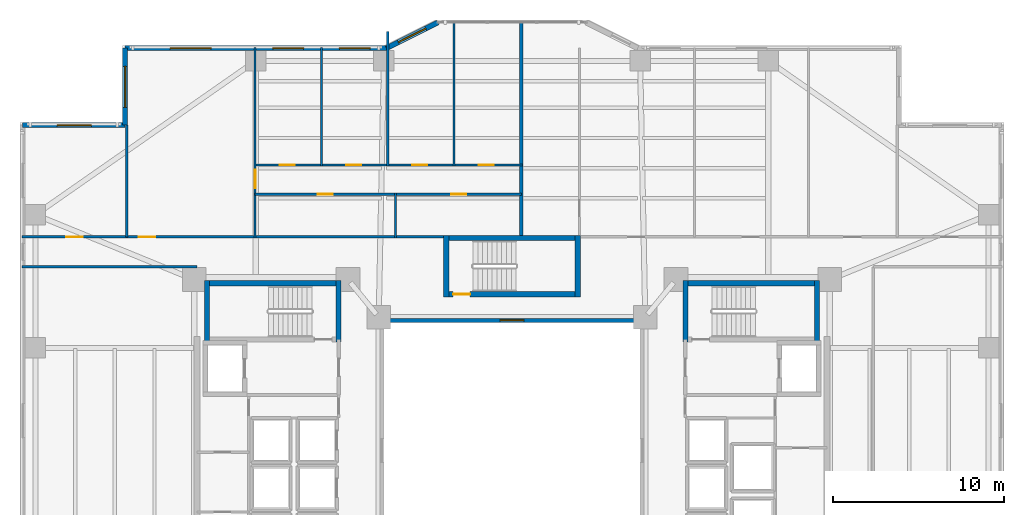
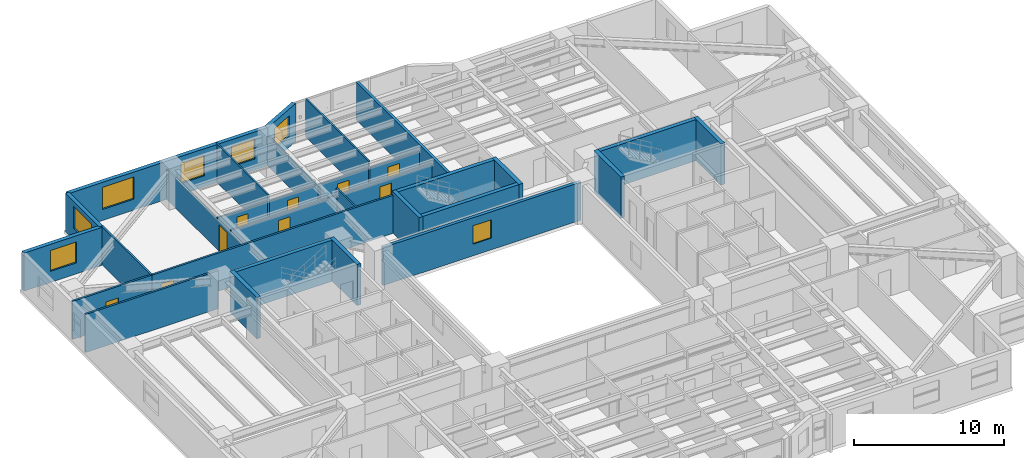
# One storey, part 13 of 19: 28 walls, 10 doors, 7 windows, 17 openings.
"""IFC4 building model written with IfcOpenShell, lengths in metres."""

import ifcopenshell
import ifcopenshell.guid

model = None  # the IFC model being written
_history = None  # IfcOwnerHistory: only IFC2X3 demands one
_inside = {}  # id of a spatial element -> (the spatial element, [elements in it])
_under = {}  # id of a project, library or spatial element -> (it, [spatial elements below it])
_declared = {}  # id of a project -> (the project, [libraries it declares])
_typed = {}  # id of a type object -> (the type object, [elements of that type])
_made_of = {}  # id of a material, layer set ... -> (it, [elements and type objects made of it])


def new_model(schema):
    """Start an empty IFC model of exactly this schema.

    Asked for "IFC4X3", IfcOpenShell would pick the latest addendum, in which some entities
    have other attributes; the version numbers below select the first issue.
    IFC2X3 requires an IfcOwnerHistory on every rooted entity: one is made here for all.
    """
    global model, _history
    if schema == "IFC4X3":
        model = ifcopenshell.file(schema_version=(4, 3, 0, 0))
    else:
        model = ifcopenshell.file(schema=schema)
    _inside.clear()
    _under.clear()
    _declared.clear()
    _typed.clear()
    _made_of.clear()
    _history = None
    if model.schema == "IFC2X3":
        org = make("IfcOrganization", Name="unknown")
        user = make(
            "IfcPersonAndOrganization",
            ThePerson=make("IfcPerson", FamilyName="unknown"),
            TheOrganization=org,
        )
        app = make(
            "IfcApplication",
            ApplicationDeveloper=org,
            Version="unknown",
            ApplicationFullName="unknown",
            ApplicationIdentifier="unknown",
        )
        _history = make(
            "IfcOwnerHistory",
            OwningUser=user,
            OwningApplication=app,
            ChangeAction="ADDED",
            CreationDate=0,
        )
    return model


def make(cls, **values):
    """One entity of the class cls with the attributes given. An attribute that is None is left unset."""
    return model.create_entity(
        cls, **{name: value for name, value in values.items() if value is not None}
    )


def rooted(cls, **values):
    """An entity with a GlobalId (a new one), such as an element, a storey or a relation."""
    return make(cls, GlobalId=ifcopenshell.guid.new(), OwnerHistory=_history, **values)


def si_unit(unit_type, name, prefix=None):
    """IfcSIUnit, for example si_unit("LENGTHUNIT", "METRE", prefix="MILLI")."""
    return make("IfcSIUnit", UnitType=unit_type, Prefix=prefix, Name=name)


def assignment(units):
    """IfcUnitAssignment: the units of a project."""
    return None if units is None else make("IfcUnitAssignment", Units=units)


def point(xyz):
    """IfcCartesianPoint."""
    return None if xyz is None else make("IfcCartesianPoint", Coordinates=xyz)


def direction(xyz):
    """IfcDirection."""
    return None if xyz is None else make("IfcDirection", DirectionRatios=xyz)


def frame(location, z_axis=None, x_axis=None):
    """IfcAxis2Placement3D, a coordinate frame: its origin and axes. An axis left out is left unset."""
    return make(
        "IfcAxis2Placement3D",
        Location=point(location),
        Axis=direction(z_axis),
        RefDirection=direction(x_axis),
    )


def frame_2d(location, x_axis=None):
    """IfcAxis2Placement2D, a coordinate frame in the plane: its origin and x axis."""
    return make(
        "IfcAxis2Placement2D", Location=point(location), RefDirection=direction(x_axis)
    )


def origin():
    """The frame at (0, 0, 0) with its axes left unset."""
    return frame((0.0, 0.0, 0.0))


def place(relative_to, where):
    """IfcLocalPlacement: puts the frame where relative to a parent placement (None: the world)."""
    return make(
        "IfcLocalPlacement", PlacementRelTo=relative_to, RelativePlacement=where
    )


def context(
    kind, dimensions, precision=None, world=None, true_north=None, identifier=None
):
    """IfcGeometricRepresentationContext, for example the 3D "Model" context."""
    return make(
        "IfcGeometricRepresentationContext",
        ContextIdentifier=identifier,
        ContextType=kind,
        CoordinateSpaceDimension=dimensions,
        Precision=precision,
        WorldCoordinateSystem=world,
        TrueNorth=true_north,
    )


def subcontext(parent, identifier, kind, view, scale=None):
    """IfcGeometricRepresentationSubContext, for example "Body" below "Model"."""
    return make(
        "IfcGeometricRepresentationSubContext",
        ContextIdentifier=identifier,
        ContextType=kind,
        ParentContext=parent,
        TargetScale=scale,
        TargetView=view,
    )


def project(units=None, contexts=None):
    """IfcProject with its units and contexts."""
    return rooted(
        "IfcProject",
        Name="project",
        RepresentationContexts=contexts,
        UnitsInContext=assignment(units),
    )


def spatial(cls, under=None, at=None, **own):
    """A site, building, storey or space (cls), placed at a placement, below another one or the project."""
    s = rooted(cls, ObjectPlacement=at, **own)
    if under is not None:
        _under.setdefault(under.id(), (under, []))[1].append(s)
    return s


def profile(cls, at=None, kind="AREA", **sizes):
    """A parametric profile (cls). Its sizes go by their IFC names, for example OverallWidth=200.0."""
    return make(cls, ProfileType=kind, Position=at, **sizes)


def rectangle(**sizes):
    """IfcRectangleProfileDef."""
    return profile("IfcRectangleProfileDef", **sizes)


def extrude(swept, where, along, depth):
    """IfcExtrudedAreaSolid: the profile swept, set in the frame where, extruded along a direction by depth."""
    return make(
        "IfcExtrudedAreaSolid",
        SweptArea=swept,
        Position=where,
        ExtrudedDirection=direction(along),
        Depth=depth,
    )


def shape(context_of_items, identifier, shape_type, items):
    """IfcShapeRepresentation: the items that make up one representation, for example the "Body"."""
    return make(
        "IfcShapeRepresentation",
        ContextOfItems=context_of_items,
        RepresentationIdentifier=identifier,
        RepresentationType=shape_type,
        Items=items,
    )


def material(Name=None, Category=None):
    """IfcMaterial."""
    return make("IfcMaterial", Name=Name, Category=Category)


def layer(
    of_material, thickness, ventilated=None, Name=None, Category=None, Priority=None
):
    """IfcMaterialLayer: one layer of a wall or slab, of a material (None: an air gap)."""
    return make(
        "IfcMaterialLayer",
        Material=of_material,
        LayerThickness=thickness,
        IsVentilated=ventilated,
        Name=Name,
        Category=Category,
        Priority=Priority,
    )


def layer_set(layers, Name=None):
    """IfcMaterialLayerSet."""
    return make("IfcMaterialLayerSet", MaterialLayers=layers, LayerSetName=Name)


def made_of(thing, what):
    """Note that an element or type object is made of a material, layer set ...; save() writes the relation."""
    if what is not None:
        _made_of.setdefault(what.id(), (what, []))[1].append(thing)
    return thing


def type_object(cls, material=None, **own):
    """A type object (cls), such as IfcWallType, which elements share."""
    return made_of(rooted(cls, **own), material)


def element(
    cls,
    number,
    at=None,
    inside=None,
    cuts=None,
    type_object=None,
    material=None,
    context=None,
    identifier="Body",
    shape_type=None,
    held_by="IfcProductDefinitionShape",
    body=None,
    shapes=None,
    **own,
):
    """One element of the class cls, such as IfcWall. Its Tag is "e" and its number.

    at: its placement. inside: the storey or other place that contains it. cuts: it is an
    opening in that element (IfcRelVoidsElement). A single representation is given by context,
    identifier, shape_type and body (its items); several are given by shapes. held_by: the class
    of the entity that holds the representations. save() writes the other relations.
    """
    e = rooted(cls, Tag="e%d" % number, ObjectPlacement=at, **own)
    if body is not None:
        shapes = [shape(context, identifier, shape_type, body)]
    if shapes is not None:
        e.Representation = make(held_by, Representations=shapes)
    if inside is not None:
        _inside.setdefault(inside.id(), (inside, []))[1].append(e)
    if cuts is not None:
        rooted(
            "IfcRelVoidsElement", RelatingBuildingElement=cuts, RelatedOpeningElement=e
        )
    if type_object is not None:
        _typed.setdefault(type_object.id(), (type_object, []))[1].append(e)
    return made_of(e, material)


def fill(opening, filler):
    """IfcRelFillsElement: the door or window that sits in an opening."""
    return rooted(
        "IfcRelFillsElement",
        RelatingOpeningElement=opening,
        RelatedBuildingElement=filler,
    )


def aggregate(whole, parts):
    """IfcRelAggregates: a whole, such as a stair, and the parts it consists of."""
    return rooted("IfcRelAggregates", RelatingObject=whole, RelatedObjects=parts)


def save(model, path):
    """Write the relations noted so far, then the file.

    IfcRelAggregates (storeys below a building ...), IfcRelContainedInSpatialStructure (elements
    in a storey), IfcRelDefinesByType, IfcRelAssociatesMaterial and IfcRelDeclares: one each for
    every whole, place, type object, material and project.
    """
    for whole, parts in _under.values():
        aggregate(whole, parts)
    for where, things in _inside.values():
        rooted(
            "IfcRelContainedInSpatialStructure",
            RelatedElements=things,
            RelatingStructure=where,
        )
    for kind, things in _typed.values():
        rooted("IfcRelDefinesByType", RelatedObjects=things, RelatingType=kind)
    for what, things in _made_of.values():
        rooted("IfcRelAssociatesMaterial", RelatedObjects=things, RelatingMaterial=what)
    for by, libraries in _declared.values():
        rooted("IfcRelDeclares", RelatingContext=by, RelatedDefinitions=libraries)
    model.write(path)


model = new_model("IFC4")

# Units and contexts
model_context = context("Model", 3, precision=1e-05, world=origin(), true_north=direction((0.0, 1.0)))
body_context = subcontext(model_context, "Body", "Model", "MODEL_VIEW")
ifc_project = project(units=[si_unit("LENGTHUNIT", "METRE"), si_unit("AREAUNIT", "SQUARE_METRE"), si_unit("VOLUMEUNIT", "CUBIC_METRE"), si_unit("PLANEANGLEUNIT", "RADIAN"), si_unit("MASSUNIT", "GRAM", prefix="KILO")], contexts=[model_context])

# Site, building, storey
site_placement = place(None, origin())
site = spatial("IfcSite", under=ifc_project, at=site_placement, CompositionType="ELEMENT")
building_placement = place(site_placement, origin())
building = spatial("IfcBuilding", under=site, at=building_placement, Name="Tarnavaz Court Tower", CompositionType="ELEMENT")
storey_placement = place(building_placement, frame((0.0, 0.0, 54.14990234375)))
storey = spatial("IfcBuildingStorey", under=building, at=storey_placement, Name="L14", CompositionType="ELEMENT", Elevation=54.14990234375)

# Walls
ifc_material_1 = material(Name="Concrete C60/75", Category="concrete")
ifc_layer_1 = layer(ifc_material_1, 0.300048828125)
ifc_layer_set_1 = layer_set([ifc_layer_1], Name="Concrete C60/75")
wall_type_1 = type_object("IfcWallType", Name="WL-CORE-300-C60", PredefinedType="SHEAR", material=ifc_layer_set_1)
wall_1_placement = place(storey_placement, frame((-18.0, 9.7900390625, 0.0), z_axis=(0.0, 0.0, 1.0), x_axis=(1.0, 0.0, 0.0)))
element("IfcWall", 1, at=wall_1_placement, inside=storey, type_object=wall_type_1, Name="L14 West Stair Core Wall 001", PredefinedType="SHEAR", context=body_context, shape_type="SweptSolid", body=[
    extrude(rectangle(XDim=8.0, YDim=0.300048828125, at=frame_2d((4.0, 0.0))), origin(), (0.0, 0.0, 1.0), 3.35009765625),
])
for number, where, z_axis, x_axis, name in (
    (2, (-17.85009765625, 6.35009765625, 0.0), (0.0, 0.0, 1.0), (0.0, 1.0, 0.0), "L14 West Stair Core Wall 003"),
    (3, (-10.14990234375, 6.35009765625, 0.0), (0.0, 0.0, 1.0), (0.0, 1.0, 0.0), "L14 West Stair Core Wall 004"),
):
    element("IfcWall", number, at=place(storey_placement, frame(where, z_axis=z_axis, x_axis=x_axis)), inside=storey, type_object=wall_type_1, Name=name, PredefinedType="SHEAR", context=body_context, shape_type="SweptSolid", body=[
        extrude(rectangle(XDim=3.58984375, YDim=0.300048828125, at=frame_2d((1.794921875, 0.0))), origin(), (0.0, 0.0, 1.0), 3.35009765625),
    ])
wall_2_placement = place(storey_placement, frame((10.0, 9.7900390625, 0.0), z_axis=(0.0, 0.0, 1.0), x_axis=(1.0, 0.0, 0.0)))
element("IfcWall", 4, at=wall_2_placement, inside=storey, type_object=wall_type_1, Name="L14 East Stair Core Wall 005", PredefinedType="SHEAR", context=body_context, shape_type="SweptSolid", body=[
    extrude(rectangle(XDim=8.0, YDim=0.300048828125, at=frame_2d((4.0, 0.0))), origin(), (0.0, 0.0, 1.0), 3.35009765625),
])
for number, where, z_axis, x_axis, name in (
    (5, (10.14990234375, 6.35009765625, 0.0), (0.0, 0.0, 1.0), (0.0, 1.0, 0.0), "L14 East Stair Core Wall 007"),
    (6, (17.85009765625, 6.35009765625, 0.0), (0.0, 0.0, 1.0), (0.0, 1.0, 0.0), "L14 East Stair Core Wall 008"),
):
    element("IfcWall", number, at=place(storey_placement, frame(where, z_axis=z_axis, x_axis=x_axis)), inside=storey, type_object=wall_type_1, Name=name, PredefinedType="SHEAR", context=body_context, shape_type="SweptSolid", body=[
        extrude(rectangle(XDim=3.58984375, YDim=0.300048828125, at=frame_2d((1.794921875, 0.0))), origin(), (0.0, 0.0, 1.0), 3.35009765625),
    ])
wall_3_placement = place(storey_placement, frame((-4.0, 12.43994140625, 0.0), z_axis=(0.0, 0.0, 1.0), x_axis=(1.0, 0.0, 0.0)))
element("IfcWall", 7, at=wall_3_placement, inside=storey, type_object=wall_type_1, Name="L14 North Stair Core Wall 009", PredefinedType="SHEAR", context=body_context, shape_type="SweptSolid", body=[
    extrude(rectangle(XDim=8.0, YDim=0.300048828125, at=frame_2d((4.0, 0.0))), origin(), (0.0, 0.0, 1.0), 3.35009765625),
])

# Wall, opening, door
wall_4_placement = place(storey_placement, frame((-4.0, 9.14990234375, 0.0), z_axis=(0.0, 0.0, 1.0), x_axis=(1.0, 0.0, 0.0)))
wall_4 = element("IfcWall", 8, at=wall_4_placement, inside=storey, type_object=wall_type_1, Name="L14 North Stair Core Wall 010", PredefinedType="SHEAR", context=body_context, shape_type="SweptSolid", body=[
    extrude(rectangle(XDim=8.0, YDim=0.300048828125, at=frame_2d((4.0, 0.0))), origin(), (0.0, 0.0, 1.0), 3.35009765625),
])
opening_1_placement = place(wall_4_placement, frame((0.550048828125, 0.0, 0.0)))
opening_1 = element("IfcOpeningElement", 9, at=opening_1_placement, cuts=wall_4, Name="Opening D01", PredefinedType="OPENING", context=body_context, shape_type="SweptSolid", body=[
    extrude(rectangle(XDim=1.0, YDim=2.14990234375, at=frame_2d((0.5, 1.074951171875))), frame((0.0, 0.159912109375, 0.0), z_axis=(0.0, -1.0, 0.0), x_axis=(1.0, 0.0, 0.0)), (0.0, 0.0, 1.0), 0.320068359375),
])
ifc_material_2 = material(Name="Fire-Rated Hardwood Timber Core", Category="wood")
door_type_1 = type_object("IfcDoorType", Name="DR-FD90-1000", OperationType="NOTDEFINED", PredefinedType="DOOR", material=ifc_material_2)
door_1_placement = place(opening_1_placement, origin())
door_1 = element("IfcDoor", 10, at=door_1_placement, inside=storey, type_object=door_type_1, Name="L14 Stair ST-N1 Exit Door", OperationType="SINGLE_SWING_LEFT", OverallHeight=2.14990234375, OverallWidth=1.0, PredefinedType="DOOR", context=body_context, shape_type="SweptSolid", body=[
    extrude(rectangle(XDim=1.0, YDim=2.14990234375, at=frame_2d((0.5, 1.074951171875))), frame((0.0, 0.02490234375, 0.0), z_axis=(0.0, -1.0, 0.0), x_axis=(1.0, 0.0, 0.0)), (0.0, 0.0, 1.0), 0.050048828125),
])
fill(opening_1, door_1)

# Walls
for number, where, z_axis, x_axis, name in (
    (11, (-3.85009765625, 9.0, 0.0), (0.0, 0.0, 1.0), (0.0, 1.0, 0.0), "L14 North Stair Core Wall 011"),
    (12, (3.85009765625, 9.0, 0.0), (0.0, 0.0, 1.0), (0.0, 1.0, 0.0), "L14 North Stair Core Wall 012"),
):
    element("IfcWall", number, at=place(storey_placement, frame(where, z_axis=z_axis, x_axis=x_axis)), inside=storey, type_object=wall_type_1, Name=name, PredefinedType="SHEAR", context=body_context, shape_type="SweptSolid", body=[
        extrude(rectangle(XDim=3.590087890625, YDim=0.300048828125, at=frame_2d((1.794921875, 0.0))), origin(), (0.0, 0.0, 1.0), 3.35009765625),
    ])

# Wall, opening, window
ifc_material_3 = material(Name="Precast Concrete C40/50", Category="concrete")
ifc_layer_2 = layer(ifc_material_3, 0.300048828125)
ifc_layer_set_2 = layer_set([ifc_layer_2], Name="Precast Concrete C40/50")
wall_type_2 = type_object("IfcWallType", Name="WL-EXT-300", PredefinedType="SOLIDWALL", material=ifc_layer_set_2)
wall_5_placement = place(storey_placement, frame((-28.64990234375, 19.050048828125, 0.0), z_axis=(0.0, 0.0, 1.0), x_axis=(1.0, 0.0, 0.0)))
wall_5 = element("IfcWall", 13, at=wall_5_placement, inside=storey, type_object=wall_type_2, Name="L14 Exterior Terracotta Facade Wall 03", PredefinedType="SOLIDWALL", context=body_context, shape_type="SweptSolid", body=[
    extrude(rectangle(XDim=6.0, YDim=0.300048828125, at=frame_2d((3.0, 0.0))), origin(), (0.0, 0.0, 1.0), 3.10009765625),
])
opening_2_placement = place(wall_5_placement, frame((2.02490234375, 0.0, 0.89990234375)))
opening_2 = element("IfcOpeningElement", 14, at=opening_2_placement, cuts=wall_5, Name="Opening W08", PredefinedType="OPENING", context=body_context, shape_type="SweptSolid", body=[
    extrude(rectangle(XDim=2.0, YDim=1.699951171875, at=frame_2d((1.0, 0.85009765625))), frame((0.0, 0.159912109375, 0.0), z_axis=(0.0, -1.0, 0.0), x_axis=(1.0, 0.0, 0.0)), (0.0, 0.0, 1.0), 0.320068359375),
])
ifc_material_4 = material(Name="Double-Glazed Solar Low-E Glass", Category="glass")
window_type_1 = type_object("IfcWindowType", Name="WN-APT-2000", PartitioningType="DOUBLE_PANEL_VERTICAL", PredefinedType="WINDOW", material=ifc_material_4)
window_1_placement = place(opening_2_placement, origin())
window_1 = element("IfcWindow", 15, at=window_1_placement, inside=storey, type_object=window_type_1, Name="L14 North-West Corner Sunroom Study Window", OverallHeight=1.699951171875, OverallWidth=2.0, PartitioningType="SINGLE_PANEL", PredefinedType="WINDOW", context=body_context, shape_type="SweptSolid", body=[
    extrude(rectangle(XDim=2.0, YDim=1.699951171875, at=frame_2d((1.0, 0.85009765625))), frame((0.0, 0.030029296875, 0.0), z_axis=(0.0, -1.0, 0.0), x_axis=(1.0, 0.0, 0.0)), (0.0, 0.0, 1.0), 0.06005859375),
])
fill(opening_2, window_1)

wall_6_placement = place(storey_placement, frame((-22.64990234375, 19.050048828125, 0.0), z_axis=(0.0, 0.0, 1.0), x_axis=(0.0, 1.0, 0.0)))
wall_6 = element("IfcWall", 16, at=wall_6_placement, inside=storey, type_object=wall_type_2, Name="L14 Exterior Terracotta Facade Wall 04", PredefinedType="SOLIDWALL", context=body_context, shape_type="SweptSolid", body=[
    extrude(rectangle(XDim=4.5, YDim=0.300048828125, at=frame_2d((2.25, 0.0))), origin(), (0.0, 0.0, 1.0), 3.10009765625),
])
opening_3_placement = place(wall_6_placement, frame((1.032470703125, 0.0, 0.89990234375)))
opening_3 = element("IfcOpeningElement", 17, at=opening_3_placement, cuts=wall_6, Name="Opening W06", PredefinedType="OPENING", context=body_context, shape_type="SweptSolid", body=[
    extrude(rectangle(XDim=2.39990234375, YDim=1.800048828125, at=frame_2d((1.199951171875, 0.89990234375))), frame((0.0, 0.159912109375, 0.0), z_axis=(0.0, -1.0, 0.0), x_axis=(1.0, 0.0, 0.0)), (0.0, 0.0, 1.0), 0.320068359375),
])
window_type_2 = type_object("IfcWindowType", Name="WN-APT-2400", PartitioningType="TRIPLE_PANEL_VERTICAL", PredefinedType="WINDOW", material=ifc_material_4)
window_2_placement = place(opening_3_placement, origin())
window_2 = element("IfcWindow", 18, at=window_2_placement, inside=storey, type_object=window_type_2, Name="L14 Flat 01 Living and Dining Room Window", OverallHeight=1.800048828125, OverallWidth=2.39990234375, PartitioningType="SINGLE_PANEL", PredefinedType="WINDOW", context=body_context, shape_type="SweptSolid", body=[
    extrude(rectangle(XDim=2.39990234375, YDim=1.800048828125, at=frame_2d((1.199951171875, 0.89990234375))), frame((0.0, 0.030029296875, 0.0), z_axis=(0.0, -1.0, 0.0), x_axis=(1.0, 0.0, 0.0)), (0.0, 0.0, 1.0), 0.06005859375),
])
fill(opening_3, window_2)

# Wall, openings, windows
wall_7_placement = place(storey_placement, frame((-22.64990234375, 23.550048828125, 0.0), z_axis=(0.0, 0.0, 1.0), x_axis=(1.0, 0.0, 0.0)))
wall_7 = element("IfcWall", 19, at=wall_7_placement, inside=storey, type_object=wall_type_2, Name="L14 Exterior Terracotta Facade Wall 05", PredefinedType="SOLIDWALL", context=body_context, shape_type="SweptSolid", body=[
    extrude(rectangle(XDim=15.2998046875, YDim=0.300048828125, at=frame_2d((7.64990234375, 0.0))), origin(), (0.0, 0.0, 1.0), 3.10009765625),
])
opening_4_placement = place(wall_7_placement, frame((2.637451171875, 0.0, 0.89990234375)))
opening_4 = element("IfcOpeningElement", 20, at=opening_4_placement, cuts=wall_7, Name="Opening W06", PredefinedType="OPENING", context=body_context, shape_type="SweptSolid", body=[
    extrude(rectangle(XDim=2.39990234375, YDim=1.800048828125, at=frame_2d((1.199951171875, 0.89990234375))), frame((0.0, 0.159912109375, 0.0), z_axis=(0.0, -1.0, 0.0), x_axis=(1.0, 0.0, 0.0)), (0.0, 0.0, 1.0), 0.320068359375),
])
opening_5_placement = place(wall_7_placement, frame((8.65625, 0.0, 0.89990234375)))
opening_5 = element("IfcOpeningElement", 21, at=opening_5_placement, cuts=wall_7, Name="Opening W01", PredefinedType="OPENING", context=body_context, shape_type="SweptSolid", body=[
    extrude(rectangle(XDim=1.800048828125, YDim=1.64990234375, at=frame_2d((0.89990234375, 0.824951171875))), frame((0.0, 0.159912109375, 0.0), z_axis=(0.0, -1.0, 0.0), x_axis=(1.0, 0.0, 0.0)), (0.0, 0.0, 1.0), 0.320068359375),
])
opening_6_placement = place(wall_7_placement, frame((12.5439453125, 0.0, 0.89990234375)))
opening_6 = element("IfcOpeningElement", 22, at=opening_6_placement, cuts=wall_7, Name="Opening W01", PredefinedType="OPENING", context=body_context, shape_type="SweptSolid", body=[
    extrude(rectangle(XDim=1.800048828125, YDim=1.64990234375, at=frame_2d((0.89990234375, 0.824951171875))), frame((0.0, 0.159912109375, 0.0), z_axis=(0.0, -1.0, 0.0), x_axis=(1.0, 0.0, 0.0)), (0.0, 0.0, 1.0), 0.320068359375),
])
window_type_3 = type_object("IfcWindowType", Name="WN-APT-1800", PartitioningType="DOUBLE_PANEL_VERTICAL", PredefinedType="WINDOW", material=ifc_material_4)
window_3_placement = place(opening_5_placement, origin())
window_3 = element("IfcWindow", 23, at=window_3_placement, inside=storey, type_object=window_type_3, Name="L14 Flat 01 Principal Bedroom Window", OverallHeight=1.64990234375, OverallWidth=1.800048828125, PartitioningType="SINGLE_PANEL", PredefinedType="WINDOW", context=body_context, shape_type="SweptSolid", body=[
    extrude(rectangle(XDim=1.800048828125, YDim=1.64990234375, at=frame_2d((0.89990234375, 0.824951171875))), frame((0.0, 0.030029296875, 0.0), z_axis=(0.0, -1.0, 0.0), x_axis=(1.0, 0.0, 0.0)), (0.0, 0.0, 1.0), 0.06005859375),
])
fill(opening_5, window_3)
window_4_placement = place(opening_6_placement, origin())
window_4 = element("IfcWindow", 24, at=window_4_placement, inside=storey, type_object=window_type_3, Name="L14 Flat 01 Bedroom 2 Window", OverallHeight=1.64990234375, OverallWidth=1.800048828125, PartitioningType="SINGLE_PANEL", PredefinedType="WINDOW", context=body_context, shape_type="SweptSolid", body=[
    extrude(rectangle(XDim=1.800048828125, YDim=1.64990234375, at=frame_2d((0.89990234375, 0.824951171875))), frame((0.0, 0.030029296875, 0.0), z_axis=(0.0, -1.0, 0.0), x_axis=(1.0, 0.0, 0.0)), (0.0, 0.0, 1.0), 0.06005859375),
])
fill(opening_6, window_4)
window_5_placement = place(opening_4_placement, origin())
window_5 = element("IfcWindow", 25, at=window_5_placement, inside=storey, type_object=window_type_2, Name="L14 Flat 01 Living and Dining Room Window", OverallHeight=1.800048828125, OverallWidth=2.39990234375, PartitioningType="SINGLE_PANEL", PredefinedType="WINDOW", context=body_context, shape_type="SweptSolid", body=[
    extrude(rectangle(XDim=2.39990234375, YDim=1.800048828125, at=frame_2d((1.199951171875, 0.89990234375))), frame((0.0, 0.030029296875, 0.0), z_axis=(0.0, -1.0, 0.0), x_axis=(1.0, 0.0, 0.0)), (0.0, 0.0, 1.0), 0.06005859375),
])
fill(opening_4, window_5)

# Wall, opening, window
wall_8_placement = place(storey_placement, frame((-7.35009765625, 23.550048828125, 0.0), z_axis=(0.0, 0.0, 1.0), x_axis=(0.894427191, 0.4472135955, 0.0)))
wall_8 = element("IfcWall", 26, at=wall_8_placement, inside=storey, type_object=wall_type_2, Name="L14 Exterior Terracotta Facade Wall 06", PredefinedType="SOLIDWALL", context=body_context, shape_type="SweptSolid", body=[
    extrude(rectangle(XDim=3.35400390625, YDim=0.300048828125, at=frame_2d((1.677001953125, 0.0))), origin(), (0.0, 0.0, 1.0), 3.10009765625),
])
opening_7_placement = place(wall_8_placement, frame((0.777099609375, 0.0, 0.89990234375)))
opening_7 = element("IfcOpeningElement", 27, at=opening_7_placement, cuts=wall_8, Name="Opening W01", PredefinedType="OPENING", context=body_context, shape_type="SweptSolid", body=[
    extrude(rectangle(XDim=1.800048828125, YDim=1.64990234375, at=frame_2d((0.89990234375, 0.824951171875))), frame((0.0, 0.159912109375, 0.0), z_axis=(0.0, -1.0, 0.0), x_axis=(1.0, 0.0, 0.0)), (0.0, 0.0, 1.0), 0.320068359375),
])
window_6_placement = place(opening_7_placement, origin())
window_6 = element("IfcWindow", 28, at=window_6_placement, inside=storey, type_object=window_type_3, Name="L14 Flat 01 Bedroom 3 Window", OverallHeight=1.64990234375, OverallWidth=1.800048828125, PartitioningType="SINGLE_PANEL", PredefinedType="WINDOW", context=body_context, shape_type="SweptSolid", body=[
    extrude(rectangle(XDim=1.800048828125, YDim=1.64990234375, at=frame_2d((0.89990234375, 0.824951171875))), frame((0.0, 0.030029296875, 0.0), z_axis=(0.0, -1.0, 0.0), x_axis=(1.0, 0.0, 0.0)), (0.0, 0.0, 1.0), 0.06005859375),
])
fill(opening_7, window_6)

# Wall, opening, door
ifc_material_5 = material(Name="Gypsum Fire-Board on Acoustic Metal Stud", Category="masonry")
ifc_layer_3 = layer(ifc_material_5, 0.14990234375)
ifc_layer_set_3 = layer_set([ifc_layer_3], Name="Gypsum Fire-Board on Acoustic Metal Stud")
wall_type_3 = type_object("IfcWallType", Name="WL-FIRE-150", PredefinedType="PARTITIONING", material=ifc_layer_set_3)
wall_9_placement = place(storey_placement, frame((-22.550048828125, 12.5, 0.0), z_axis=(0.0, 0.0, 1.0), x_axis=(1.0, 0.0, 0.0)))
wall_9 = element("IfcWall", 29, at=wall_9_placement, inside=storey, type_object=wall_type_3, Name="L14 NW Wing Corridor Wall 082", PredefinedType="PARTITIONING", context=body_context, shape_type="SweptSolid", body=[
    extrude(rectangle(XDim=18.699951171875, YDim=0.14990234375, at=frame_2d((9.35009765625, 0.0))), origin(), (0.0, 0.0, 1.0), 3.10009765625),
])
opening_8_placement = place(wall_9_placement, frame((0.699951171875, 0.0, 0.0)))
opening_8 = element("IfcOpeningElement", 30, at=opening_8_placement, cuts=wall_9, Name="Opening D06", PredefinedType="OPENING", context=body_context, shape_type="SweptSolid", body=[
    extrude(rectangle(XDim=0.9599609375, YDim=2.14990234375, at=frame_2d((0.47998046875, 1.074951171875))), frame((0.0, 0.0849609375, 0.0), z_axis=(0.0, -1.0, 0.0), x_axis=(1.0, 0.0, 0.0)), (0.0, 0.0, 1.0), 0.169921875),
])
door_type_2 = type_object("IfcDoorType", Name="DR-FD60-950", OperationType="NOTDEFINED", PredefinedType="DOOR", material=ifc_material_2)
door_2_placement = place(opening_8_placement, origin())
door_2 = element("IfcDoor", 31, at=door_2_placement, inside=storey, type_object=door_type_2, Name="L14 Flat 01 Entrance Door", OperationType="SINGLE_SWING_RIGHT", OverallHeight=2.14990234375, OverallWidth=0.9599609375, PredefinedType="DOOR", context=body_context, shape_type="SweptSolid", body=[
    extrude(rectangle(XDim=0.9599609375, YDim=2.14990234375, at=frame_2d((0.47998046875, 1.074951171875))), frame((0.0, 0.02490234375, 0.0), z_axis=(0.0, -1.0, 0.0), x_axis=(1.0, 0.0, 0.0)), (0.0, 0.0, 1.0), 0.050048828125),
])
fill(opening_8, door_2)

# Wall
wall_10_placement = place(storey_placement, frame((-28.679931640625, 10.75, 0.0), z_axis=(0.0, 0.0, 1.0), x_axis=(1.0, 0.0, 0.0)))
element("IfcWall", 32, at=wall_10_placement, inside=storey, type_object=wall_type_3, Name="L14 Interior Partition 114", PredefinedType="PARTITIONING", context=body_context, shape_type="SweptSolid", body=[
    extrude(rectangle(XDim=10.22998046875, YDim=0.14990234375, at=frame_2d((5.114990234375, 0.0))), origin(), (0.0, 0.0, 1.0), 3.10009765625),
])

# Wall, opening, door
wall_11_placement = place(storey_placement, frame((-28.679931640625, 12.5, 0.0), z_axis=(0.0, 0.0, 1.0), x_axis=(1.0, 0.0, 0.0)))
wall_11 = element("IfcWall", 33, at=wall_11_placement, inside=storey, type_object=wall_type_3, Name="L14 Interior Partition 121", PredefinedType="PARTITIONING", context=body_context, shape_type="SweptSolid", body=[
    extrude(rectangle(XDim=6.1298828125, YDim=0.14990234375, at=frame_2d((3.06494140625, 0.0))), origin(), (0.0, 0.0, 1.0), 3.10009765625),
])
opening_9_placement = place(wall_11_placement, frame((2.590087890625, 0.0, 0.0)))
opening_9 = element("IfcOpeningElement", 34, at=opening_9_placement, cuts=wall_11, Name="Opening D13", PredefinedType="OPENING", context=body_context, shape_type="SweptSolid", body=[
    extrude(rectangle(XDim=0.949951171875, YDim=2.14990234375, at=frame_2d((0.47509765625, 1.074951171875))), frame((0.0, 0.0849609375, 0.0), z_axis=(0.0, -1.0, 0.0), x_axis=(1.0, 0.0, 0.0)), (0.0, 0.0, 1.0), 0.169921875),
])
ifc_material_6 = material(Name="Engineered Oak Timber", Category="wood")
door_type_3 = type_object("IfcDoorType", Name="DR-INT-950", OperationType="NOTDEFINED", PredefinedType="DOOR", material=ifc_material_6)
door_3_placement = place(opening_9_placement, origin())
door_3 = element("IfcDoor", 35, at=door_3_placement, inside=storey, type_object=door_type_3, Name="L14 NW Sunroom Door", OperationType="SINGLE_SWING_LEFT", OverallHeight=2.14990234375, OverallWidth=0.949951171875, PredefinedType="DOOR", context=body_context, shape_type="SweptSolid", body=[
    extrude(rectangle(XDim=0.949951171875, YDim=2.14990234375, at=frame_2d((0.47509765625, 1.074951171875))), frame((0.0, 0.02490234375, 0.0), z_axis=(0.0, -1.0, 0.0), x_axis=(1.0, 0.0, 0.0)), (0.0, 0.0, 1.0), 0.050048828125),
])
fill(opening_9, door_3)

# Wall
ifc_material_7 = material(Name="Autoclaved Aerated Concrete Blockwork", Category="masonry")
ifc_layer_4 = layer(ifc_material_7, 0.199951171875)
ifc_layer_set_4 = layer_set([ifc_layer_4], Name="Autoclaved Aerated Concrete Blockwork")
wall_type_4 = type_object("IfcWallType", Name="WL-FIRE-200", PredefinedType="SOLIDWALL", material=ifc_layer_set_4)
wall_12_placement = place(storey_placement, frame((0.550048828125, 12.5, 0.0), z_axis=(0.0, 0.0, 1.0), x_axis=(0.0, 1.0, 0.0)))
element("IfcWall", 36, at=wall_12_placement, inside=storey, type_object=wall_type_4, Name="L14 North Center Party Wall 088", PredefinedType="SOLIDWALL", context=body_context, shape_type="SweptSolid", body=[
    extrude(rectangle(XDim=12.580078125, YDim=0.199951171875, at=frame_2d((6.2900390625, 0.0))), origin(), (0.0, 0.0, 1.0), 3.10009765625),
])

# Wall, opening, door
ifc_material_8 = material(Name="Moisture-Resistant Gypsum Board Partition", Category="masonry")
ifc_layer_5 = layer(ifc_material_8, 0.1201171875)
ifc_layer_set_5 = layer_set([ifc_layer_5], Name="Moisture-Resistant Gypsum Board Partition")
wall_type_5 = type_object("IfcWallType", Name="WL-PART-120", PredefinedType="PARTITIONING", material=ifc_layer_set_5)
wall_13_placement = place(storey_placement, frame((-15.034912109375, 12.43994140625, 0.0), z_axis=(0.0, 0.0, 1.0), x_axis=(0.0, 1.0, 0.0)))
wall_13 = element("IfcWall", 37, at=wall_13_placement, inside=storey, type_object=wall_type_5, Name="L14 Interior Partition 089", PredefinedType="PARTITIONING", context=body_context, shape_type="SweptSolid", body=[
    extrude(rectangle(XDim=11.16015625, YDim=0.1201171875, at=frame_2d((5.580078125, 0.0))), origin(), (0.0, 0.0, 1.0), 2.43505859375),
])
opening_10_placement = place(wall_13_placement, frame((2.905029296875, 0.0, 0.0)))
opening_10 = element("IfcOpeningElement", 38, at=opening_10_placement, cuts=wall_13, Name="Opening D12", PredefinedType="OPENING", context=body_context, shape_type="SweptSolid", body=[
    extrude(rectangle(XDim=1.080078125, YDim=2.14990234375, at=frame_2d((0.5400390625, 1.074951171875))), frame((0.0, 0.070068359375, 0.0), z_axis=(0.0, -1.0, 0.0), x_axis=(1.0, 0.0, 0.0)), (0.0, 0.0, 1.0), 0.14013671875),
])
door_type_4 = type_object("IfcDoorType", Name="DR-INT-1100", OperationType="NOTDEFINED", PredefinedType="DOOR", material=ifc_material_6)
door_4_placement = place(opening_10_placement, origin())
door_4 = element("IfcDoor", 39, at=door_4_placement, inside=storey, type_object=door_type_4, Name="L14 Flat 01 Foyer Door", OperationType="SINGLE_SWING_LEFT", OverallHeight=2.14990234375, OverallWidth=1.080078125, PredefinedType="DOOR", context=body_context, shape_type="SweptSolid", body=[
    extrude(rectangle(XDim=1.080078125, YDim=2.14990234375, at=frame_2d((0.5400390625, 1.074951171875))), frame((0.0, 0.02490234375, 0.0), z_axis=(0.0, -1.0, 0.0), x_axis=(1.0, 0.0, 0.0)), (0.0, 0.0, 1.0), 0.050048828125),
])
fill(opening_10, door_4)

wall_14_placement = place(storey_placement, frame((-15.034912109375, 15.0, 0.0), z_axis=(0.0, 0.0, 1.0), x_axis=(1.0, 0.0, 0.0)))
wall_14 = element("IfcWall", 40, at=wall_14_placement, inside=storey, type_object=wall_type_5, Name="L14 Interior Partition 090", PredefinedType="PARTITIONING", context=body_context, shape_type="SweptSolid", body=[
    extrude(rectangle(XDim=8.22802734375, YDim=0.1201171875, at=frame_2d((4.114013671875, 0.0))), origin(), (0.0, 0.0, 1.0), 2.585205078125),
])
opening_11_placement = place(wall_14_placement, frame((3.674072265625, 0.0, 0.0)))
opening_11 = element("IfcOpeningElement", 41, at=opening_11_placement, cuts=wall_14, Name="Opening D14", PredefinedType="OPENING", context=body_context, shape_type="SweptSolid", body=[
    extrude(rectangle(XDim=0.8798828125, YDim=2.10009765625, at=frame_2d((0.43994140625, 1.050048828125))), frame((0.0, 0.070068359375, 0.0), z_axis=(0.0, -1.0, 0.0), x_axis=(1.0, 0.0, 0.0)), (0.0, 0.0, 1.0), 0.14013671875),
])
door_type_5 = type_object("IfcDoorType", Name="DR-INT-900", OperationType="NOTDEFINED", PredefinedType="DOOR", material=ifc_material_6)
door_5_placement = place(opening_11_placement, origin())
door_5 = element("IfcDoor", 42, at=door_5_placement, inside=storey, type_object=door_type_5, Name="L14 Flat 01 Kitchen Door", OperationType="SINGLE_SWING_RIGHT", OverallHeight=2.10009765625, OverallWidth=0.8798828125, PredefinedType="DOOR", context=body_context, shape_type="SweptSolid", body=[
    extrude(rectangle(XDim=0.8798828125, YDim=2.10009765625, at=frame_2d((0.43994140625, 1.050048828125))), frame((0.0, 0.02490234375, 0.0), z_axis=(0.0, -1.0, 0.0), x_axis=(1.0, 0.0, 0.0)), (0.0, 0.0, 1.0), 0.050048828125),
])
fill(opening_11, door_5)

wall_15_placement = place(storey_placement, frame((-6.806884765625, 15.0, 0.0), z_axis=(0.0, 0.0, 1.0), x_axis=(1.0, 0.0, 0.0)))
wall_15 = element("IfcWall", 43, at=wall_15_placement, inside=storey, type_object=wall_type_5, Name="L14 Interior Partition 091", PredefinedType="PARTITIONING", context=body_context, shape_type="SweptSolid", body=[
    extrude(rectangle(XDim=7.35693359375, YDim=0.1201171875, at=frame_2d((3.678466796875, 0.0))), origin(), (0.0, 0.0, 1.0), 2.585205078125),
])
opening_12_placement = place(wall_15_placement, frame((3.239013671875, 0.0, 0.0)))
opening_12 = element("IfcOpeningElement", 44, at=opening_12_placement, cuts=wall_15, Name="Opening D14", PredefinedType="OPENING", context=body_context, shape_type="SweptSolid", body=[
    extrude(rectangle(XDim=0.8798828125, YDim=2.10009765625, at=frame_2d((0.43994140625, 1.050048828125))), frame((0.0, 0.070068359375, 0.0), z_axis=(0.0, -1.0, 0.0), x_axis=(1.0, 0.0, 0.0)), (0.0, 0.0, 1.0), 0.14013671875),
])
door_6_placement = place(opening_12_placement, origin())
door_6 = element("IfcDoor", 45, at=door_6_placement, inside=storey, type_object=door_type_5, Name="L14 Flat 01 Bathroom Door", OperationType="SINGLE_SWING_LEFT", OverallHeight=2.10009765625, OverallWidth=0.8798828125, PredefinedType="DOOR", context=body_context, shape_type="SweptSolid", body=[
    extrude(rectangle(XDim=0.8798828125, YDim=2.10009765625, at=frame_2d((0.43994140625, 1.050048828125))), frame((0.0, 0.02490234375, 0.0), z_axis=(0.0, -1.0, 0.0), x_axis=(1.0, 0.0, 0.0)), (0.0, 0.0, 1.0), 0.050048828125),
])
fill(opening_12, door_6)

# Wall, openings, doors
wall_16_placement = place(storey_placement, frame((-15.094970703125, 16.7099609375, 0.0), z_axis=(0.0, 0.0, 1.0), x_axis=(1.0, 0.0, 0.0)))
wall_16 = element("IfcWall", 46, at=wall_16_placement, inside=storey, type_object=wall_type_5, Name="L14 Interior Partition 092", PredefinedType="PARTITIONING", context=body_context, shape_type="SweptSolid", body=[
    extrude(rectangle(XDim=15.705078125, YDim=0.1201171875, at=frame_2d((7.8525390625, 0.0))), origin(), (0.0, 0.0, 1.0), 2.585205078125),
])
opening_13_placement = place(wall_16_placement, frame((1.5009765625, 0.0, 0.0)))
opening_13 = element("IfcOpeningElement", 47, at=opening_13_placement, cuts=wall_16, Name="Opening D14", PredefinedType="OPENING", context=body_context, shape_type="SweptSolid", body=[
    extrude(rectangle(XDim=0.8798828125, YDim=2.10009765625, at=frame_2d((0.43994140625, 1.050048828125))), frame((0.0, 0.070068359375, 0.0), z_axis=(0.0, -1.0, 0.0), x_axis=(1.0, 0.0, 0.0)), (0.0, 0.0, 1.0), 0.14013671875),
])
opening_14_placement = place(wall_16_placement, frame((5.382080078125, 0.0, 0.0)))
opening_14 = element("IfcOpeningElement", 48, at=opening_14_placement, cuts=wall_16, Name="Opening D14", PredefinedType="OPENING", context=body_context, shape_type="SweptSolid", body=[
    extrude(rectangle(XDim=0.8798828125, YDim=2.10009765625, at=frame_2d((0.43994140625, 1.050048828125))), frame((0.0, 0.070068359375, 0.0), z_axis=(0.0, -1.0, 0.0), x_axis=(1.0, 0.0, 0.0)), (0.0, 0.0, 1.0), 0.14013671875),
])
opening_15_placement = place(wall_16_placement, frame((9.262939453125, 0.0, 0.0)))
opening_15 = element("IfcOpeningElement", 49, at=opening_15_placement, cuts=wall_16, Name="Opening D14", PredefinedType="OPENING", context=body_context, shape_type="SweptSolid", body=[
    extrude(rectangle(XDim=0.8798828125, YDim=2.10009765625, at=frame_2d((0.43994140625, 1.050048828125))), frame((0.0, 0.070068359375, 0.0), z_axis=(0.0, -1.0, 0.0), x_axis=(1.0, 0.0, 0.0)), (0.0, 0.0, 1.0), 0.14013671875),
])
opening_16_placement = place(wall_16_placement, frame((13.14404296875, 0.0, 0.0)))
opening_16 = element("IfcOpeningElement", 50, at=opening_16_placement, cuts=wall_16, Name="Opening D14", PredefinedType="OPENING", context=body_context, shape_type="SweptSolid", body=[
    extrude(rectangle(XDim=0.8798828125, YDim=2.10009765625, at=frame_2d((0.43994140625, 1.050048828125))), frame((0.0, 0.070068359375, 0.0), z_axis=(0.0, -1.0, 0.0), x_axis=(1.0, 0.0, 0.0)), (0.0, 0.0, 1.0), 0.14013671875),
])
door_7_placement = place(opening_13_placement, origin())
door_7 = element("IfcDoor", 51, at=door_7_placement, inside=storey, type_object=door_type_5, Name="L14 Flat 01 Bedroom 1 Door", OperationType="SINGLE_SWING_RIGHT", OverallHeight=2.10009765625, OverallWidth=0.8798828125, PredefinedType="DOOR", context=body_context, shape_type="SweptSolid", body=[
    extrude(rectangle(XDim=0.8798828125, YDim=2.10009765625, at=frame_2d((0.43994140625, 1.050048828125))), frame((0.0, 0.02490234375, 0.0), z_axis=(0.0, -1.0, 0.0), x_axis=(1.0, 0.0, 0.0)), (0.0, 0.0, 1.0), 0.050048828125),
])
fill(opening_13, door_7)
door_8_placement = place(opening_14_placement, origin())
door_8 = element("IfcDoor", 52, at=door_8_placement, inside=storey, type_object=door_type_5, Name="L14 Flat 01 Bedroom 2 Door", OperationType="SINGLE_SWING_LEFT", OverallHeight=2.10009765625, OverallWidth=0.8798828125, PredefinedType="DOOR", context=body_context, shape_type="SweptSolid", body=[
    extrude(rectangle(XDim=0.8798828125, YDim=2.10009765625, at=frame_2d((0.43994140625, 1.050048828125))), frame((0.0, 0.02490234375, 0.0), z_axis=(0.0, -1.0, 0.0), x_axis=(1.0, 0.0, 0.0)), (0.0, 0.0, 1.0), 0.050048828125),
])
fill(opening_14, door_8)
door_9_placement = place(opening_15_placement, origin())
door_9 = element("IfcDoor", 53, at=door_9_placement, inside=storey, type_object=door_type_5, Name="L14 Flat 01 Bedroom 3 Door", OperationType="SINGLE_SWING_RIGHT", OverallHeight=2.10009765625, OverallWidth=0.8798828125, PredefinedType="DOOR", context=body_context, shape_type="SweptSolid", body=[
    extrude(rectangle(XDim=0.8798828125, YDim=2.10009765625, at=frame_2d((0.43994140625, 1.050048828125))), frame((0.0, 0.02490234375, 0.0), z_axis=(0.0, -1.0, 0.0), x_axis=(1.0, 0.0, 0.0)), (0.0, 0.0, 1.0), 0.050048828125),
])
fill(opening_15, door_9)
door_10_placement = place(opening_16_placement, origin())
door_10 = element("IfcDoor", 54, at=door_10_placement, inside=storey, type_object=door_type_5, Name="L14 Flat 01 Bedroom 4 Door", OperationType="SINGLE_SWING_LEFT", OverallHeight=2.10009765625, OverallWidth=0.8798828125, PredefinedType="DOOR", context=body_context, shape_type="SweptSolid", body=[
    extrude(rectangle(XDim=0.8798828125, YDim=2.10009765625, at=frame_2d((0.43994140625, 1.050048828125))), frame((0.0, 0.02490234375, 0.0), z_axis=(0.0, -1.0, 0.0), x_axis=(1.0, 0.0, 0.0)), (0.0, 0.0, 1.0), 0.050048828125),
])
fill(opening_16, door_10)

# Walls
wall_17_placement = place(storey_placement, frame((-6.806884765625, 12.43994140625, 0.0), z_axis=(0.0, 0.0, 1.0), x_axis=(0.0, 1.0, 0.0)))
element("IfcWall", 55, at=wall_17_placement, inside=storey, type_object=wall_type_5, Name="L14 Interior Partition 093", PredefinedType="PARTITIONING", context=body_context, shape_type="SweptSolid", body=[
    extrude(rectangle(XDim=2.6201171875, YDim=0.1201171875, at=frame_2d((1.31005859375, 0.0))), origin(), (0.0, 0.0, 1.0), 3.10009765625),
])
wall_18_placement = place(storey_placement, frame((-11.154052734375, 16.64990234375, 0.0), z_axis=(0.0, 0.0, 1.0), x_axis=(0.0, 1.0, 0.0)))
element("IfcWall", 56, at=wall_18_placement, inside=storey, type_object=wall_type_5, Name="L14 Interior Partition 094", PredefinedType="PARTITIONING", context=body_context, shape_type="SweptSolid", body=[
    extrude(rectangle(XDim=6.9501953125, YDim=0.1201171875, at=frame_2d((3.47509765625, 0.0))), origin(), (0.0, 0.0, 1.0), 3.10009765625),
])
wall_19_placement = place(storey_placement, frame((-7.27197265625, 16.64990234375, 0.0), z_axis=(0.0, 0.0, 1.0), x_axis=(0.0, 1.0, 0.0)))
element("IfcWall", 57, at=wall_19_placement, inside=storey, type_object=wall_type_5, Name="L14 Interior Partition 095", PredefinedType="PARTITIONING", context=body_context, shape_type="SweptSolid", body=[
    extrude(rectangle(XDim=7.8701171875, YDim=0.1201171875, at=frame_2d((3.93505859375, 0.0))), origin(), (0.0, 0.0, 1.0), 2.43505859375),
])
wall_20_placement = place(storey_placement, frame((-3.39111328125, 16.64990234375, 0.0), z_axis=(0.0, 0.0, 1.0), x_axis=(0.0, 1.0, 0.0)))
element("IfcWall", 58, at=wall_20_placement, inside=storey, type_object=wall_type_5, Name="L14 Interior Partition 096", PredefinedType="PARTITIONING", context=body_context, shape_type="SweptSolid", body=[
    extrude(rectangle(XDim=8.43017578125, YDim=0.1201171875, at=frame_2d((4.215087890625, 0.0))), origin(), (0.0, 0.0, 1.0), 3.10009765625),
])
ifc_material_9 = material(Name="Gypsum Plasterboard Acoustic Partition", Category="masonry")
ifc_layer_6 = layer(ifc_material_9, 0.139892578125)
ifc_layer_set_6 = layer_set([ifc_layer_6], Name="Gypsum Plasterboard Acoustic Partition")
wall_type_6 = type_object("IfcWallType", Name="WL-PART-150", PredefinedType="PARTITIONING", material=ifc_layer_set_6)
wall_21_placement = place(storey_placement, frame((-22.550048828125, 12.5, 0.0), z_axis=(0.0, 0.0, 1.0), x_axis=(0.0, 1.0, 0.0)))
element("IfcWall", 59, at=wall_21_placement, inside=storey, type_object=wall_type_6, Name="L14 Interior Partition 119", PredefinedType="PARTITIONING", context=body_context, shape_type="SweptSolid", body=[
    extrude(rectangle(XDim=6.550048828125, YDim=0.139892578125, at=frame_2d((3.27490234375, 0.0))), origin(), (0.0, 0.0, 1.0), 3.10009765625),
])

# Wall, opening, window
ifc_layer_7 = layer(ifc_material_3, 0.239990234375)
ifc_layer_set_7 = layer_set([ifc_layer_7], Name="Precast Concrete C40/50")
wall_type_7 = type_object("IfcWallType", Name="WL-WELL-240", PredefinedType="SOLIDWALL", material=ifc_layer_set_7)
wall_22_placement = place(storey_placement, frame((7.6201171875, 7.6201171875, 0.0), z_axis=(0.0, 0.0, 1.0), x_axis=(-1.0, 0.0, 0.0)))
wall_22 = element("IfcWall", 60, at=wall_22_placement, inside=storey, type_object=wall_type_7, Name="L14 Badgir Light-Well Exterior Wall N", PredefinedType="SOLIDWALL", context=body_context, shape_type="SweptSolid", body=[
    extrude(rectangle(XDim=15.240234375, YDim=0.239990234375, at=frame_2d((7.6201171875, 0.0))), origin(), (0.0, 0.0, 1.0), 3.10009765625),
])
opening_17_placement = place(wall_22_placement, frame((6.919921875, 0.0, 0.949951171875)))
opening_17 = element("IfcOpeningElement", 61, at=opening_17_placement, cuts=wall_22, Name="Opening W13", PredefinedType="OPENING", context=body_context, shape_type="SweptSolid", body=[
    extrude(rectangle(XDim=1.39990234375, YDim=1.5, at=frame_2d((0.699951171875, 0.75))), frame((0.0, 0.1298828125, 0.0), z_axis=(0.0, -1.0, 0.0), x_axis=(1.0, 0.0, 0.0)), (0.0, 0.0, 1.0), 0.260009765625),
])
window_type_4 = type_object("IfcWindowType", Name="WN-WEL-1400", PartitioningType="SINGLE_PANEL", PredefinedType="WINDOW", material=ifc_material_4)
window_7_placement = place(opening_17_placement, origin())
window_7 = element("IfcWindow", 62, at=window_7_placement, inside=storey, type_object=window_type_4, Name="L14 Courtyard Gallery Window N", OverallHeight=1.5, OverallWidth=1.39990234375, PartitioningType="SINGLE_PANEL", PredefinedType="WINDOW", context=body_context, shape_type="SweptSolid", body=[
    extrude(rectangle(XDim=1.39990234375, YDim=1.5, at=frame_2d((0.699951171875, 0.75))), frame((0.0, 0.030029296875, 0.0), z_axis=(0.0, -1.0, 0.0), x_axis=(1.0, 0.0, 0.0)), (0.0, 0.0, 1.0), 0.06005859375),
])
fill(opening_17, window_7)

save(model, "model.ifc")
